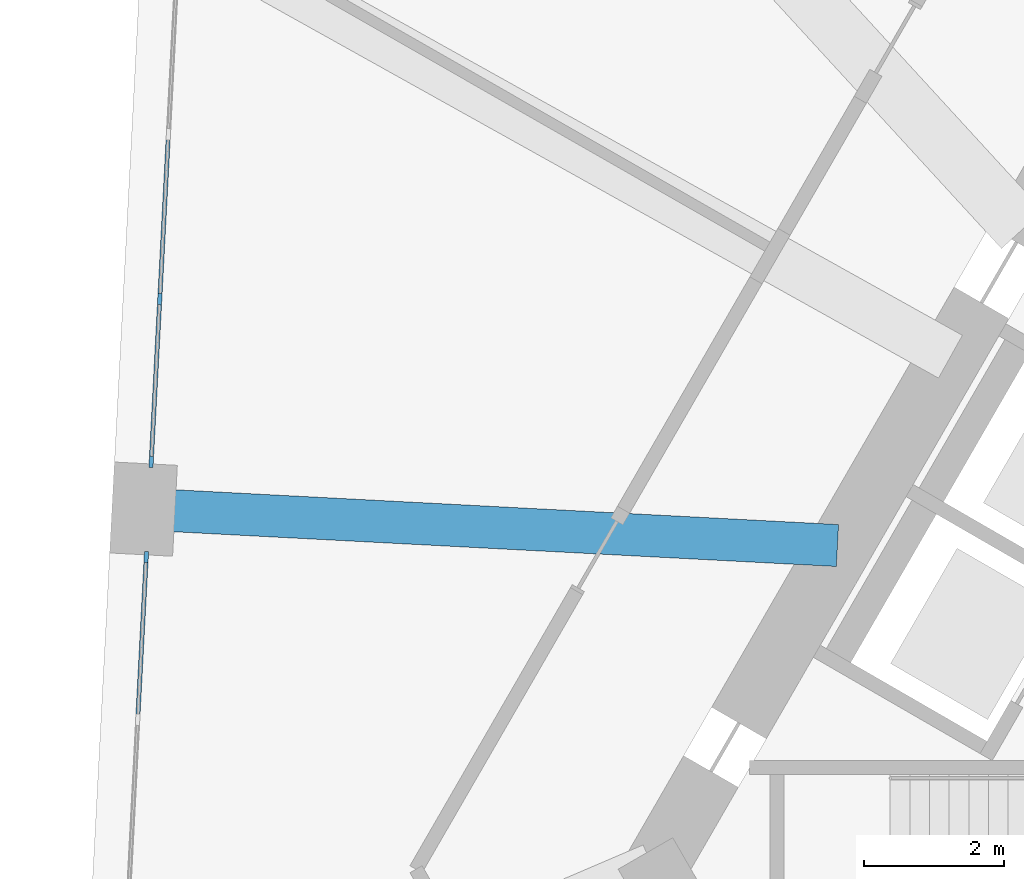
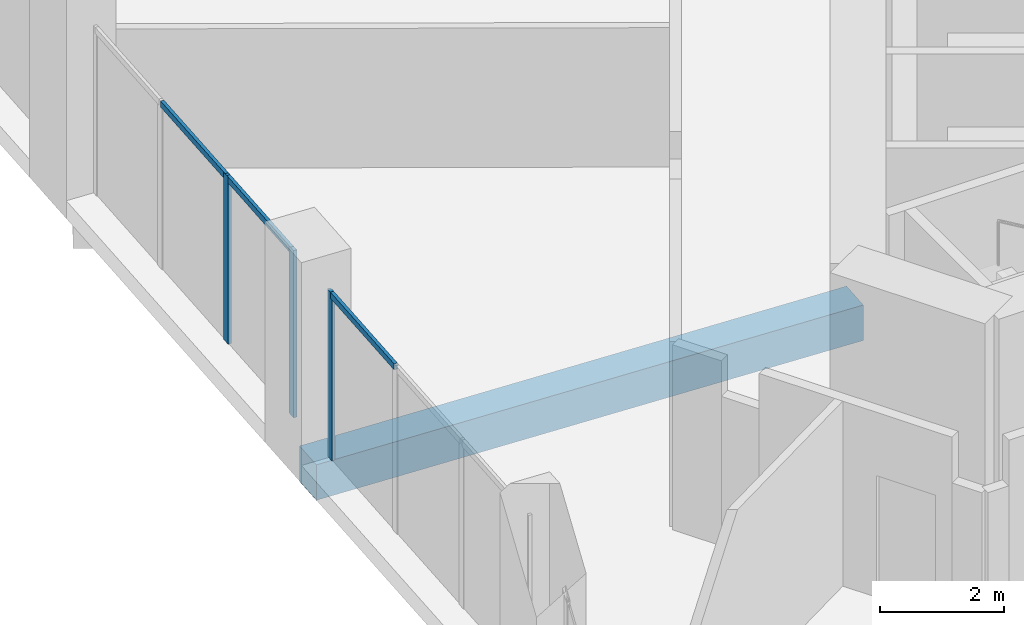
# One storey, part 4 of 18: 6 members, 1 beam, 2 elements without a shape of their own.
"""IFC4 building model written with IfcOpenShell, lengths in metres."""

from ifc_helpers import new_model, si_unit, direction, frame, origin, origin_2d, place, context, subcontext, project, spatial, rectangle, extrude, material, layer, layer_set, material_profile, profile_set, type_object, element, aggregate, save


model = new_model("IFC4")

# Units and contexts
model_context = context("Model", 3, precision=1e-05, world=origin(), true_north=direction((0.0, 1.0)))
body_context = subcontext(model_context, "Body", "Model", "MODEL_VIEW")
ifc_project = project(units=[si_unit("LENGTHUNIT", "METRE"), si_unit("AREAUNIT", "SQUARE_METRE"), si_unit("VOLUMEUNIT", "CUBIC_METRE"), si_unit("PLANEANGLEUNIT", "RADIAN"), si_unit("MASSUNIT", "GRAM", prefix="KILO")], contexts=[model_context])

# Site, building, storey
site_placement = place(None, origin())
site = spatial("IfcSite", under=ifc_project, at=site_placement, CompositionType="ELEMENT")
building_placement = place(site_placement, origin())
building = spatial("IfcBuilding", under=site, at=building_placement, Name="Tramontana Tower", CompositionType="ELEMENT")
storey_placement = place(building_placement, frame((0.0, 0.0, 125.60009765625)))
storey = spatial("IfcBuildingStorey", under=building, at=storey_placement, Name="L28", CompositionType="ELEMENT", Elevation=125.60009765625)

# Curtain wall, members
ifc_material_1 = material(Name="Aluminum extrusion", Category="aluminium")
ifc_layer = layer(ifc_material_1, 0.14990234375)
ifc_layer_set = layer_set([ifc_layer], Name="CW3 Sky lobby 1 curtain wall")
curtain_wall_type = type_object("IfcCurtainWallType", Name="CW3 Sky lobby 1 curtain wall", PredefinedType="NOTDEFINED", material=ifc_layer_set)
curtain_wall_1_placement = place(storey_placement, origin())
curtain_wall_1 = element("IfcCurtainWall", 1, at=curtain_wall_1_placement, inside=storey, type_object=curtain_wall_type, Name="CW3 curtain wall L28 face 0 bay 3", PredefinedType="NOTDEFINED")
ifc_material_2 = material(Name="Aluminum extrusion", Category="aluminium")
ifc_material_profile_1 = material_profile(ifc_material_2, rectangle(XDim=0.06005859375, YDim=0.159912109375, at=origin_2d()), Name="CW3-M Mullion 60 x 160")
ifc_profile_set_1 = profile_set([ifc_material_profile_1], Name="Aluminum extrusion")
member_type_1 = type_object("IfcMemberType", Name="CW3-M Mullion 60 x 160", PredefinedType="MULLION", material=ifc_profile_set_1)
member_1_placement = place(storey_placement, frame((-16.79443359375, 3.891357421875, 0.0), z_axis=(0.0, 0.0, 1.0), x_axis=(0.998629534755, -0.052335956243, 0.0)))
member_1 = element("IfcMember", 2, at=member_1_placement, type_object=member_type_1, Name="CW3 curtain wall L28 face 0 bay 3 mullion 3", PredefinedType="MULLION", context=body_context, shape_type="SweptSolid", body=[
    extrude(rectangle(XDim=0.06005859375, YDim=0.159912109375, at=origin_2d()), origin(), (0.0, 0.0, 1.0), 3.2998046875),
])
member_2_placement = place(storey_placement, frame((-16.916259765625, 1.5673828125, 0.0), z_axis=(0.0, 0.0, 1.0), x_axis=(0.998629534755, -0.052335956243, 0.0)))
member_2 = element("IfcMember", 3, at=member_2_placement, type_object=member_type_1, Name="CW3 curtain wall L28 face 0 bay 3 mullion 4", PredefinedType="MULLION", context=body_context, shape_type="SweptSolid", body=[
    extrude(rectangle(XDim=0.06005859375, YDim=0.159912109375, at=origin_2d()), origin(), (0.0, 0.0, 1.0), 3.2998046875),
])

# Curtain wall, member
curtain_wall_2_placement = place(storey_placement, origin())
curtain_wall_2 = element("IfcCurtainWall", 4, at=curtain_wall_2_placement, inside=storey, type_object=curtain_wall_type, Name="CW3 curtain wall L28 face 0 bay 4", PredefinedType="NOTDEFINED")
member_3_placement = place(storey_placement, frame((-16.9873046875, 0.209228515625, 0.0), z_axis=(0.0, 0.0, 1.0), x_axis=(0.998629534755, -0.052335956243, 0.0)))
member_3 = element("IfcMember", 5, at=member_3_placement, type_object=member_type_1, Name="CW3 curtain wall L28 face 0 bay 4 mullion 1", PredefinedType="MULLION", context=body_context, shape_type="SweptSolid", body=[
    extrude(rectangle(XDim=0.06005859375, YDim=0.159912109375, at=origin_2d()), origin(), (0.0, 0.0, 1.0), 3.2998046875),
])

# Member
ifc_material_3 = material(Name="Aluminum extrusion", Category="aluminium")
ifc_material_profile_2 = material_profile(ifc_material_3, rectangle(XDim=0.06005859375, YDim=0.1201171875, at=origin_2d()), Name="CW3-T Transom 60 x 120")
ifc_profile_set_2 = profile_set([ifc_material_profile_2], Name="Aluminum extrusion")
member_type_2 = type_object("IfcMemberType", Name="CW3-T Transom 60 x 120", PredefinedType="USERDEFINED", material=ifc_profile_set_2)
member_4_placement = place(storey_placement, frame((-16.672607421875, 6.215576171875, 3.239990234375), z_axis=(-0.052285519948, -0.998632176732, 0.0), x_axis=(0.998632176732, -0.052285519948, 0.0)))
member_4 = element("IfcMember", 6, at=member_4_placement, type_object=member_type_2, Name="CW3 curtain wall L28 face 0 bay 3 transom 2.1", ObjectType="TRANSOM", PredefinedType="USERDEFINED", context=body_context, shape_type="SweptSolid", body=[
    extrude(rectangle(XDim=0.06005859375, YDim=0.1201171875, at=origin_2d()), origin(), (0.0, 0.0, 1.0), 2.29736328125),
])

member_5_placement = place(storey_placement, frame((-16.7958984375, 3.861572265625, 3.239990234375), z_axis=(-0.052332762049, -0.99862970215, 0.0), x_axis=(0.99862970215, -0.052332762049, 0.0)))
member_5 = element("IfcMember", 7, at=member_5_placement, type_object=member_type_2, Name="CW3 curtain wall L28 face 0 bay 3 transom 3.1", ObjectType="TRANSOM", PredefinedType="USERDEFINED", context=body_context, shape_type="SweptSolid", body=[
    extrude(rectangle(XDim=0.06005859375, YDim=0.1201171875, at=origin_2d()), origin(), (0.0, 0.0, 1.0), 2.267333984375),
])

aggregate(curtain_wall_1, [member_1, member_2, member_4, member_5])

member_6_placement = place(storey_placement, frame((-16.989013671875, 0.179443359375, 3.239990234375), z_axis=(-0.052332762049, -0.99862970215, 0.0), x_axis=(0.99862970215, -0.052332762049, 0.0)))
member_6 = element("IfcMember", 8, at=member_6_placement, type_object=member_type_2, Name="CW3 curtain wall L28 face 0 bay 4 transom 1.1", ObjectType="TRANSOM", PredefinedType="USERDEFINED", context=body_context, shape_type="SweptSolid", body=[
    extrude(rectangle(XDim=0.06005859375, YDim=0.1201171875, at=origin_2d()), origin(), (0.0, 0.0, 1.0), 2.267333984375),
])

aggregate(curtain_wall_2, [member_3, member_6])

# Beam
ifc_material_4 = material(Name="Concrete 40 MPa", Category="concrete")
ifc_material_profile_3 = material_profile(ifc_material_4, rectangle(XDim=0.60009765625, YDim=0.699951171875, at=origin_2d()), Name="RC GIRDER 600X700 40 MPa")
ifc_profile_set_3 = profile_set([ifc_material_profile_3], Name="Concrete 40 MPa")
beam_type = type_object("IfcBeamType", Name="RC GIRDER 600X700 40 MPa", PredefinedType="BEAM", material=ifc_profile_set_3)
beam_placement = place(storey_placement, frame((-17.026611328125, 0.892333984375, -0.7001953125), z_axis=(0.998628816447, -0.052349660575, 0.0), x_axis=(0.052349660575, 0.998628816447, 0.0)))
element("IfcBeam", 9, at=beam_placement, inside=storey, type_object=beam_type, Name="Radial girder C3F03 L28", PredefinedType="BEAM", context=body_context, shape_type="SweptSolid", body=[
    extrude(rectangle(XDim=0.60009765625, YDim=0.699951171875, at=origin_2d()), origin(), (0.0, 0.0, 1.0), 9.92431640625),
])

save(model, "model.ifc")
